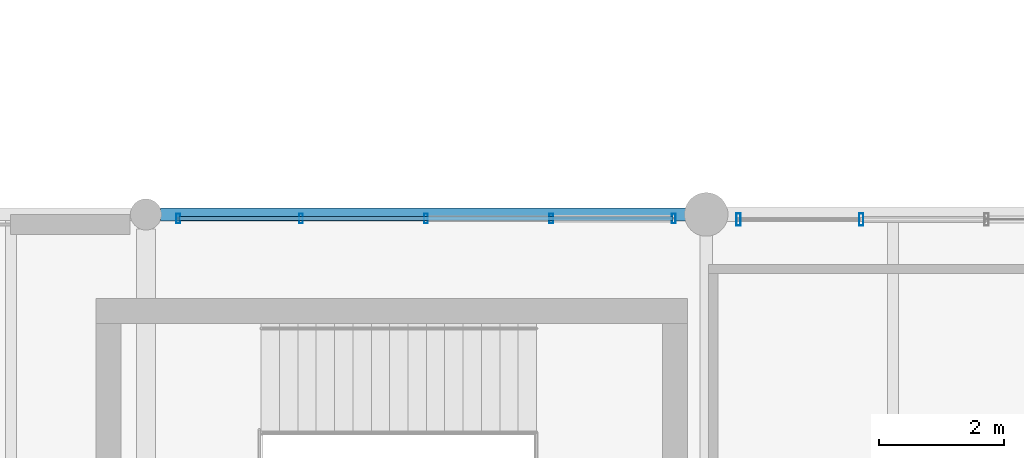
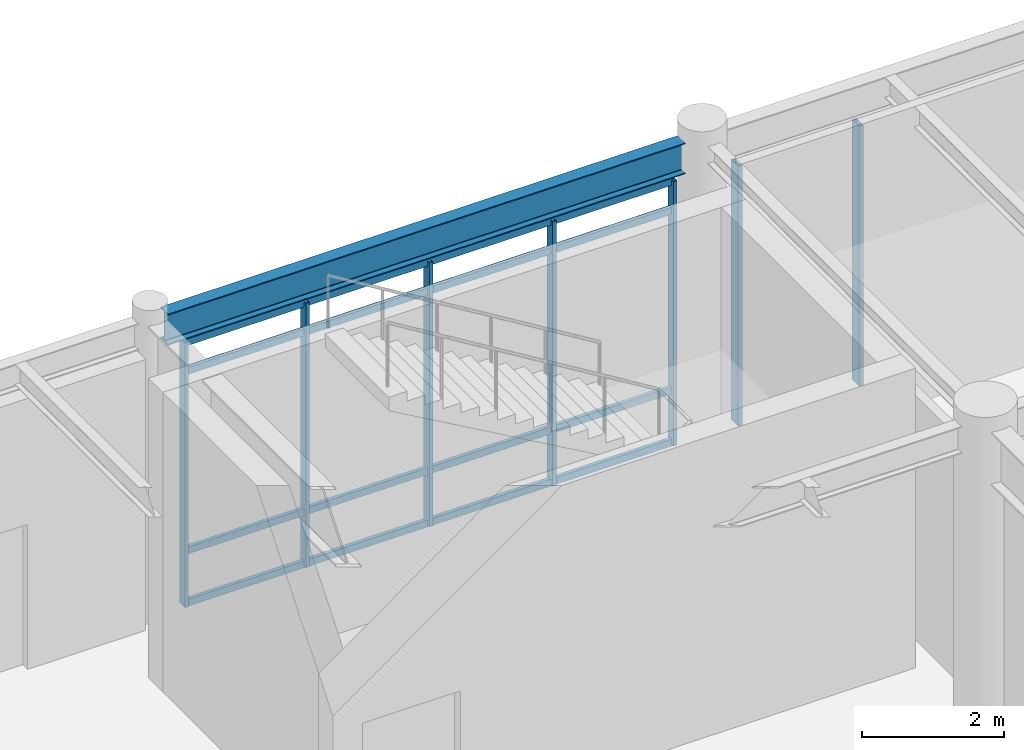
# One storey, part 141 of 203: 11 members, 1 beam, 2 elements without a shape of their own.
"""IFC4 building model written with IfcOpenShell, lengths in metres."""

from ifc_helpers import new_model, si_unit, direction, frame, origin, origin_2d, place, context, subcontext, project, spatial, hollow_rectangle, i_section, extrude, material, material_profile, profile_set, type_object, element, aggregate, save


model = new_model("IFC4")

# Units and contexts
model_context = context("Model", 3, precision=1e-05, world=origin(), true_north=direction((0.0, 1.0)))
body_context = subcontext(model_context, "Body", "Model", "MODEL_VIEW")
ifc_project = project(units=[si_unit("LENGTHUNIT", "METRE"), si_unit("AREAUNIT", "SQUARE_METRE"), si_unit("VOLUMEUNIT", "CUBIC_METRE"), si_unit("PLANEANGLEUNIT", "RADIAN"), si_unit("MASSUNIT", "GRAM", prefix="KILO"), si_unit("THERMODYNAMICTEMPERATUREUNIT", "KELVIN"), si_unit("POWERUNIT", "WATT")], contexts=[model_context])

# Site, building, storey
site_placement = place(None, origin())
site = spatial("IfcSite", under=ifc_project, at=site_placement, CompositionType="ELEMENT")
building_placement = place(site_placement, origin())
building = spatial("IfcBuilding", under=site, at=building_placement, Name="Tepalcoro Natatorium and Aquatics Centre", CompositionType="ELEMENT")
storey_placement = place(building_placement, origin())
storey = spatial("IfcBuildingStorey", under=building, at=storey_placement, Name="L00", CompositionType="ELEMENT", Elevation=0.0)

# Curtain wall, members
ifc_material_1 = material(Name="Bronze-Anodised Extruded Aluminium Alloy EN AW-6063 T6", Category="aluminium")
curtain_wall_type_1 = type_object("IfcCurtainWallType", Name="CW_V2_DIVING", PredefinedType="USERDEFINED", material=ifc_material_1)
curtain_wall_1_placement = place(storey_placement, origin())
curtain_wall_1 = element("IfcCurtainWall", 1, at=curtain_wall_1_placement, inside=storey, type_object=curtain_wall_type_1, Name="V4 L00 N Unitised Curtain Wall Bay 6", ObjectType="FACETED SOLAR GLAZING", PredefinedType="USERDEFINED")
ifc_material_profile_1 = material_profile(ifc_material_1, hollow_rectangle(XDim=0.06005859375, YDim=0.159912109375, WallThickness=0.00390625, at=origin_2d()), Name="AL60X160X4")
ifc_profile_set_1 = profile_set([ifc_material_profile_1], Name="Bronze-Anodised Extruded Aluminium Alloy EN AW-6063 T6")
member_type_1 = type_object("IfcMemberType", Name="CW_MUL_60x160", PredefinedType="MULLION", material=ifc_profile_set_1)
member_1_placement = place(storey_placement, frame((53.52001953125, 117.93505859375, 0.02001953125), z_axis=(0.0, 0.0, 1.0), x_axis=(1.0, 0.0, 0.0)))
member_1 = element("IfcMember", 2, at=member_1_placement, type_object=member_type_1, Name="CW_V2_DIVING Curtain Wall Mullion", PredefinedType="MULLION", context=body_context, shape_type="SweptSolid", body=[
    extrude(hollow_rectangle(XDim=0.06005859375, YDim=0.159912109375, WallThickness=0.00390625, at=origin_2d()), origin(), (0.0, 0.0, 1.0), 4.553955078125),
])
member_2_placement = place(storey_placement, frame((55.489990234375, 117.93505859375, 0.02001953125), z_axis=(0.0, 0.0, 1.0), x_axis=(1.0, 0.0, 0.0)))
member_2 = element("IfcMember", 3, at=member_2_placement, type_object=member_type_1, Name="CW_V2_DIVING Curtain Wall Mullion", PredefinedType="MULLION", context=body_context, shape_type="SweptSolid", body=[
    extrude(hollow_rectangle(XDim=0.06005859375, YDim=0.159912109375, WallThickness=0.00390625, at=origin_2d()), origin(), (0.0, 0.0, 1.0), 4.553955078125),
])
member_3_placement = place(storey_placement, frame((57.5, 117.93505859375, 0.02001953125), z_axis=(0.0, 0.0, 1.0), x_axis=(1.0, 0.0, 0.0)))
member_3 = element("IfcMember", 4, at=member_3_placement, type_object=member_type_1, Name="CW_V2_DIVING Curtain Wall Mullion", PredefinedType="MULLION", context=body_context, shape_type="SweptSolid", body=[
    extrude(hollow_rectangle(XDim=0.06005859375, YDim=0.159912109375, WallThickness=0.00390625, at=origin_2d()), origin(), (0.0, 0.0, 1.0), 4.553955078125),
])
member_4_placement = place(storey_placement, frame((59.510009765625, 117.93505859375, 0.02001953125), z_axis=(0.0, 0.0, 1.0), x_axis=(1.0, 0.0, 0.0)))
member_4 = element("IfcMember", 5, at=member_4_placement, type_object=member_type_1, Name="CW_V2_DIVING Curtain Wall Mullion", PredefinedType="MULLION", context=body_context, shape_type="SweptSolid", body=[
    extrude(hollow_rectangle(XDim=0.06005859375, YDim=0.159912109375, WallThickness=0.00390625, at=origin_2d()), origin(), (0.0, 0.0, 1.0), 4.553955078125),
])
member_5_placement = place(storey_placement, frame((61.47998046875, 117.93505859375, 0.02001953125), z_axis=(0.0, 0.0, 1.0), x_axis=(1.0, 0.0, 0.0)))
member_5 = element("IfcMember", 6, at=member_5_placement, type_object=member_type_1, Name="CW_V2_DIVING Curtain Wall Mullion", PredefinedType="MULLION", context=body_context, shape_type="SweptSolid", body=[
    extrude(hollow_rectangle(XDim=0.06005859375, YDim=0.159912109375, WallThickness=0.00390625, at=origin_2d()), origin(), (0.0, 0.0, 1.0), 4.553955078125),
])

curtain_wall_type_2 = type_object("IfcCurtainWallType", Name="CW_V3_FOYER", PredefinedType="USERDEFINED", material=ifc_material_1)
curtain_wall_2_placement = place(storey_placement, origin())
curtain_wall_2 = element("IfcCurtainWall", 7, at=curtain_wall_2_placement, inside=storey, type_object=curtain_wall_type_2, Name="V4 L00 N Unitised Curtain Wall Bay 7", ObjectType="UNITISED STOREFRONT", PredefinedType="USERDEFINED")
ifc_material_profile_2 = material_profile(ifc_material_1, hollow_rectangle(XDim=0.070068359375, YDim=0.199951171875, WallThickness=0.0048828125, at=origin_2d()), Name="AL70X200X5")
ifc_profile_set_2 = profile_set([ifc_material_profile_2], Name="Bronze-Anodised Extruded Aluminium Alloy EN AW-6063 T6")
member_type_2 = type_object("IfcMemberType", Name="CW_MUL_70x200", PredefinedType="MULLION", material=ifc_profile_set_2)
member_6_placement = place(storey_placement, frame((62.52001953125, 117.919921875, 0.02001953125), z_axis=(0.0, 0.0, 1.0), x_axis=(1.0, 0.0, 0.0)))
member_6 = element("IfcMember", 8, at=member_6_placement, type_object=member_type_2, Name="CW_V3_FOYER Curtain Wall Mullion", PredefinedType="MULLION", context=body_context, shape_type="SweptSolid", body=[
    extrude(hollow_rectangle(XDim=0.070068359375, YDim=0.199951171875, WallThickness=0.0048828125, at=origin_2d()), origin(), (0.0, 0.0, 1.0), 4.47802734375),
])
member_7_placement = place(storey_placement, frame((64.489990234375, 117.919921875, 0.02001953125), z_axis=(0.0, 0.0, 1.0), x_axis=(1.0, 0.0, 0.0)))
member_7 = element("IfcMember", 9, at=member_7_placement, type_object=member_type_2, Name="CW_V3_FOYER Curtain Wall Mullion", PredefinedType="MULLION", context=body_context, shape_type="SweptSolid", body=[
    extrude(hollow_rectangle(XDim=0.070068359375, YDim=0.199951171875, WallThickness=0.0048828125, at=origin_2d()), origin(), (0.0, 0.0, 1.0), 4.47802734375),
])
aggregate(curtain_wall_2, [member_6, member_7])

# Member
ifc_material_profile_3 = material_profile(ifc_material_1, hollow_rectangle(XDim=0.06005859375, YDim=0.1201171875, WallThickness=0.00390625, at=origin_2d()), Name="AL60X120X4")
ifc_profile_set_3 = profile_set([ifc_material_profile_3], Name="Bronze-Anodised Extruded Aluminium Alloy EN AW-6063 T6")
member_type_3 = type_object("IfcMemberType", Name="CW_TRN_60x120", PredefinedType="USERDEFINED", material=ifc_profile_set_3)
member_8_placement = place(storey_placement, frame((53.530029296875, 117.93505859375, 0.050048828125), z_axis=(1.0, 0.0, 0.0), x_axis=(0.0, 1.0, 0.0)))
member_8 = element("IfcMember", 10, at=member_8_placement, type_object=member_type_3, Name="CW_V2_DIVING Curtain Wall Transom", ObjectType="TRANSOM", PredefinedType="USERDEFINED", context=body_context, shape_type="SweptSolid", body=[
    extrude(hollow_rectangle(XDim=0.06005859375, YDim=0.1201171875, WallThickness=0.00390625, at=origin_2d()), origin(), (0.0, 0.0, 1.0), 7.93994140625),
])

member_9_placement = place(storey_placement, frame((53.530029296875, 117.93505859375, 0.949951171875), z_axis=(1.0, 0.0, 0.0), x_axis=(0.0, 1.0, 0.0)))
member_9 = element("IfcMember", 11, at=member_9_placement, type_object=member_type_3, Name="CW_V2_DIVING Curtain Wall Transom", ObjectType="TRANSOM", PredefinedType="USERDEFINED", context=body_context, shape_type="SweptSolid", body=[
    extrude(hollow_rectangle(XDim=0.06005859375, YDim=0.1201171875, WallThickness=0.00390625, at=origin_2d()), origin(), (0.0, 0.0, 1.0), 7.93994140625),
])

member_10_placement = place(storey_placement, frame((53.530029296875, 117.93505859375, 4.0439453125), z_axis=(1.0, 0.0, 0.0), x_axis=(0.0, 1.0, 0.0)))
member_10 = element("IfcMember", 12, at=member_10_placement, type_object=member_type_3, Name="CW_V2_DIVING Curtain Wall Transom", ObjectType="TRANSOM", PredefinedType="USERDEFINED", context=body_context, shape_type="SweptSolid", body=[
    extrude(hollow_rectangle(XDim=0.06005859375, YDim=0.1201171875, WallThickness=0.00390625, at=origin_2d()), origin(), (0.0, 0.0, 1.0), 7.93994140625),
])

member_11_placement = place(storey_placement, frame((53.530029296875, 117.93505859375, 4.5439453125), z_axis=(1.0, 0.0, 0.0), x_axis=(0.0, 1.0, 0.0)))
member_11 = element("IfcMember", 13, at=member_11_placement, type_object=member_type_3, Name="CW_V2_DIVING Curtain Wall Transom", ObjectType="TRANSOM", PredefinedType="USERDEFINED", context=body_context, shape_type="SweptSolid", body=[
    extrude(hollow_rectangle(XDim=0.06005859375, YDim=0.1201171875, WallThickness=0.00390625, at=origin_2d()), origin(), (0.0, 0.0, 1.0), 7.93994140625),
])

aggregate(curtain_wall_1, [member_1, member_2, member_3, member_4, member_5, member_8, member_9, member_10, member_11])

# Beam
ifc_material_2 = material(Name="Steel ASTM A992 Grade 50 (Fy 345 MPa)", Category="steel")
ifc_material_profile_4 = material_profile(ifc_material_2, i_section(OverallWidth=0.2099609375, OverallDepth=0.535888671875, WebThickness=0.010986328125, FlangeThickness=0.01708984375, FilletRadius=0.013916015625, at=origin_2d()), Name="W21X68")
ifc_profile_set_4 = profile_set([ifc_material_profile_4], Name="Steel ASTM A992 Grade 50 (Fy 345 MPa)")
beam_type = type_object("IfcBeamType", Name="SP_W21x68", PredefinedType="SPANDREL", material=ifc_profile_set_4)
beam_placement = place(storey_placement, frame((53.235107421875, 118.0, 4.876953125), z_axis=(1.0, 0.0, 0.0), x_axis=(0.0, 1.0, 0.0)))
element("IfcBeam", 14, at=beam_placement, inside=storey, type_object=beam_type, Name="V4 L00 Grid Girder X", PredefinedType="SPANDREL", context=body_context, shape_type="SweptSolid", body=[
    extrude(i_section(OverallWidth=0.2099609375, OverallDepth=0.535888671875, WebThickness=0.010986328125, FlangeThickness=0.01708984375, FilletRadius=0.013916015625, at=origin_2d()), origin(), (0.0, 0.0, 1.0), 8.429931640625),
])

save(model, "model.ifc")
